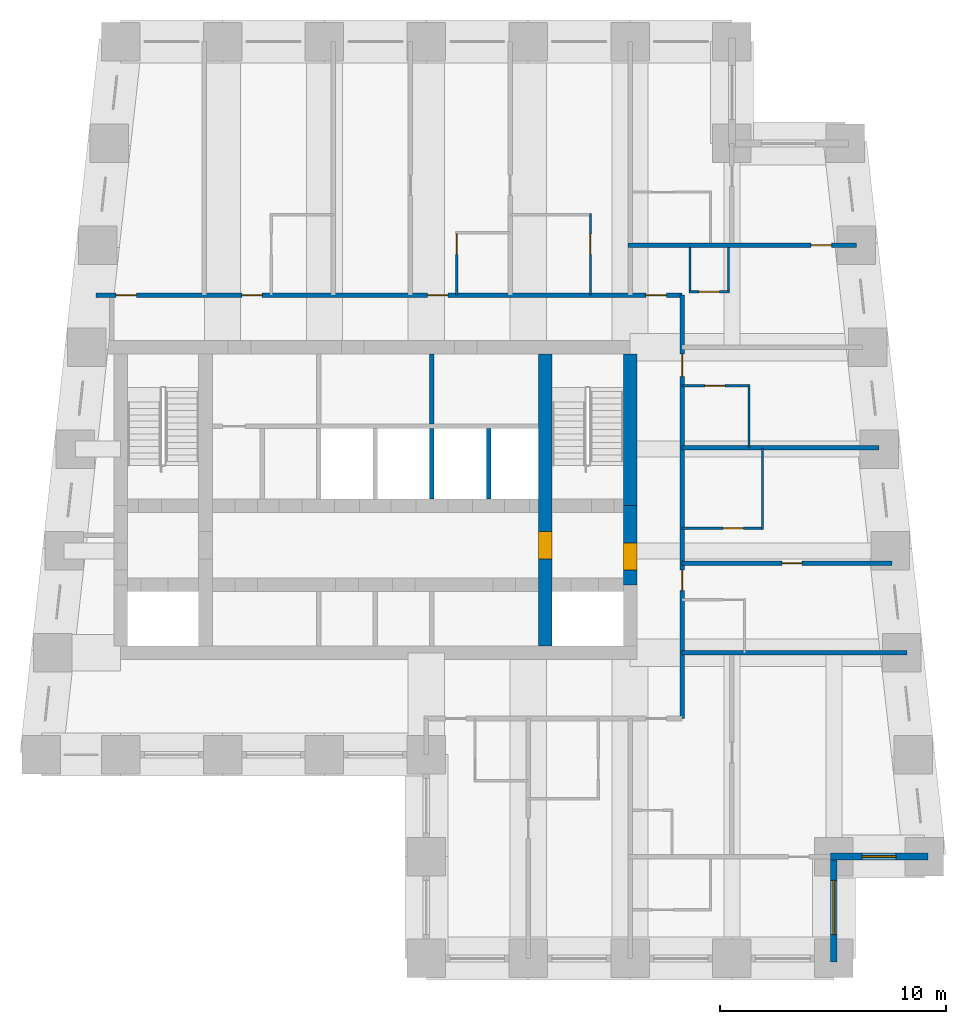
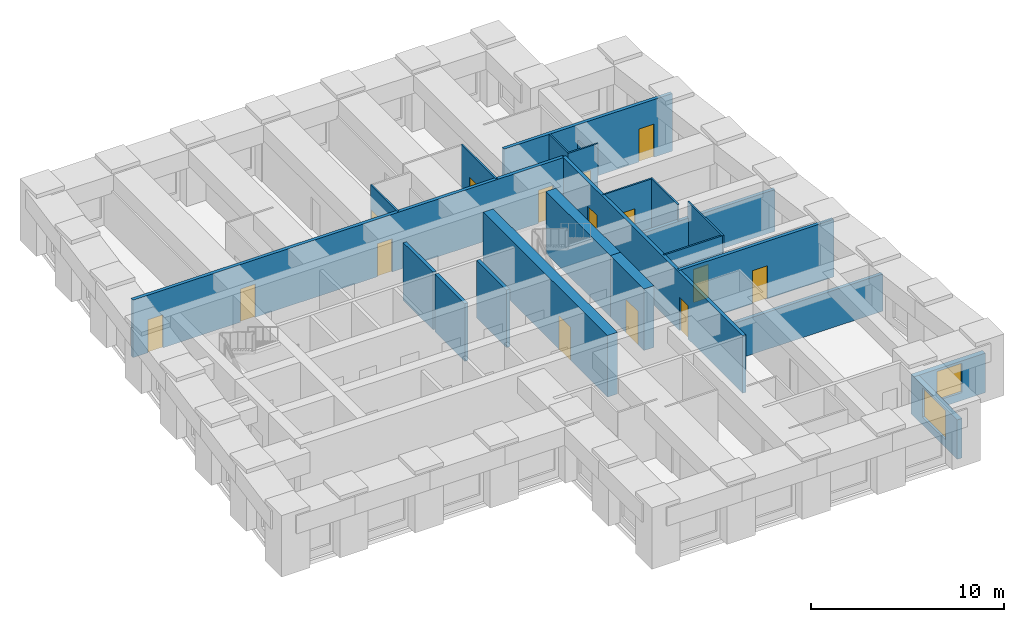
# One storey, part 4 of 7: 23 walls, 15 doors, 2 windows, 17 openings.
"""IFC4 building model written with IfcOpenShell, lengths in metres."""

from ifc_helpers import new_model, si_unit, direction, frame, frame_2d, origin, place, context, subcontext, project, spatial, rectangle, extrude, material, layer, layer_set, type_object, element, fill, save


model = new_model("IFC4")

# Units and contexts
model_context = context("Model", 3, precision=1e-05, world=origin(), true_north=direction((0.0, 1.0)))
body_context = subcontext(model_context, "Body", "Model", "MODEL_VIEW")
ifc_project = project(units=[si_unit("LENGTHUNIT", "METRE"), si_unit("AREAUNIT", "SQUARE_METRE"), si_unit("VOLUMEUNIT", "CUBIC_METRE"), si_unit("PLANEANGLEUNIT", "RADIAN"), si_unit("MASSUNIT", "GRAM", prefix="KILO")], contexts=[model_context])

# Site, building, storey
site_placement = place(None, origin())
site = spatial("IfcSite", under=ifc_project, at=site_placement, CompositionType="ELEMENT")
building_placement = place(site_placement, origin())
building = spatial("IfcBuilding", under=site, at=building_placement, Name="Kilele Tower Hotel", CompositionType="ELEMENT")
storey_placement = place(building_placement, frame((0.0, 0.0, 236.89990234375)))
storey = spatial("IfcBuildingStorey", under=building, at=storey_placement, Name="L61", CompositionType="ELEMENT", Elevation=236.89990234375)

# Wall
ifc_material_1 = material(Name="Moisture-resistant board")
ifc_layer_1 = layer(ifc_material_1, 0.10009765625)
ifc_layer_set_1 = layer_set([ifc_layer_1], Name="Moisture-resistant board")
wall_type_1 = type_object("IfcWallType", Name="Bathroom partition 100", PredefinedType="PLUMBINGWALL", material=ifc_layer_set_1)
wall_1_placement = place(storey_placement, frame((41.85009765625, 18.949951171875, 0.0), z_axis=(0.0, 0.0, 1.0), x_axis=(0.0, 1.0, 0.0)))
element("IfcWall", 1, at=wall_1_placement, inside=storey, type_object=wall_type_1, Name="Bathroom partition 100 L61", PredefinedType="PLUMBINGWALL", context=body_context, shape_type="SweptSolid", body=[
    extrude(rectangle(XDim=3.60009765625, YDim=0.10009765625, at=frame_2d((1.800048828125, 0.0))), origin(), (0.0, 0.0, 1.0), 3.650146484375),
])

# Wall, opening, door
wall_2_placement = place(storey_placement, frame((38.300048828125, 19.0, 0.0), z_axis=(0.0, 0.0, 1.0), x_axis=(1.0, 0.0, 0.0)))
wall_2 = element("IfcWall", 2, at=wall_2_placement, inside=storey, type_object=wall_type_1, Name="Bathroom partition 100 L61", PredefinedType="PLUMBINGWALL", context=body_context, shape_type="SweptSolid", body=[
    extrude(rectangle(XDim=3.599853515625, YDim=0.10009765625, at=frame_2d((1.7998046875, 0.0))), origin(), (0.0, 0.0, 1.0), 3.650146484375),
])
opening_1_placement = place(wall_2_placement, frame((2.699951171875, 0.0, 0.0), z_axis=(0.0, 0.0, 1.0), x_axis=(-1.0, 0.0, 0.0)))
opening_1 = element("IfcOpeningElement", 3, at=opening_1_placement, cuts=wall_2, Name="Opening D2A", PredefinedType="OPENING", context=body_context, shape_type="SweptSolid", body=[
    extrude(rectangle(XDim=0.89990234375, YDim=2.10009765625, at=frame_2d((0.449951171875, 1.050048828125))), frame((0.0, 0.06005859375, 0.0), z_axis=(0.0, -1.0, 0.0), x_axis=(1.0, 0.0, 0.0)), (0.0, 0.0, 1.0), 0.1201171875),
])
ifc_material_2 = material(Name="Timber door leaf in hardwood frame", Category="wood")
door_type_1 = type_object("IfcDoorType", Name="Bathroom door 900", OperationType="SINGLE_SWING_LEFT", PredefinedType="DOOR", material=ifc_material_2)
door_1_placement = place(opening_1_placement, origin())
door_1 = element("IfcDoor", 4, at=door_1_placement, inside=storey, type_object=door_type_1, Name="Bathroom door 6105B", OperationType="SINGLE_SWING_LEFT", OverallHeight=2.10009765625, OverallWidth=0.89990234375, PredefinedType="DOOR", context=body_context, shape_type="SweptSolid", body=[
    extrude(rectangle(XDim=0.89990234375, YDim=2.10009765625, at=frame_2d((0.449951171875, 1.050048828125))), frame((0.0, 0.02490234375, 0.0), z_axis=(0.0, -1.0, 0.0), x_axis=(1.0, 0.0, 0.0)), (0.0, 0.0, 1.0), 0.050048828125),
])
fill(opening_1, door_1)

# Wall
wall_3_placement = place(storey_placement, frame((41.25, 22.550048828125, 0.0), z_axis=(0.0, 0.0, 1.0), x_axis=(0.0, 1.0, 0.0)))
element("IfcWall", 5, at=wall_3_placement, inside=storey, type_object=wall_type_1, Name="Bathroom partition 100 L61", PredefinedType="PLUMBINGWALL", context=body_context, shape_type="SweptSolid", body=[
    extrude(rectangle(XDim=2.800048828125, YDim=0.10009765625, at=frame_2d((1.39990234375, 0.0))), origin(), (0.0, 0.0, 1.0), 3.650146484375),
])

# Wall, opening, door
wall_4_placement = place(storey_placement, frame((38.300048828125, 25.300048828125, 0.0), z_axis=(0.0, 0.0, 1.0), x_axis=(1.0, 0.0, 0.0)))
wall_4 = element("IfcWall", 6, at=wall_4_placement, inside=storey, type_object=wall_type_1, Name="Bathroom partition 100 L61", PredefinedType="PLUMBINGWALL", context=body_context, shape_type="SweptSolid", body=[
    extrude(rectangle(XDim=3.0, YDim=0.10009765625, at=frame_2d((1.5, 0.0))), origin(), (0.0, 0.0, 1.0), 3.650146484375),
])
opening_2_placement = place(wall_4_placement, frame((1.0, 0.0, 0.0)))
opening_2 = element("IfcOpeningElement", 7, at=opening_2_placement, cuts=wall_4, Name="Opening D2A", PredefinedType="OPENING", context=body_context, shape_type="SweptSolid", body=[
    extrude(rectangle(XDim=0.89990234375, YDim=2.10009765625, at=frame_2d((0.449951171875, 1.050048828125))), frame((0.0, 0.06005859375, 0.0), z_axis=(0.0, -1.0, 0.0), x_axis=(1.0, 0.0, 0.0)), (0.0, 0.0, 1.0), 0.1201171875),
])
door_2_placement = place(opening_2_placement, origin())
door_2 = element("IfcDoor", 8, at=door_2_placement, inside=storey, type_object=door_type_1, Name="Bathroom door 6106B", OperationType="SINGLE_SWING_LEFT", OverallHeight=2.10009765625, OverallWidth=0.89990234375, PredefinedType="DOOR", context=body_context, shape_type="SweptSolid", body=[
    extrude(rectangle(XDim=0.89990234375, YDim=2.10009765625, at=frame_2d((0.449951171875, 1.050048828125))), frame((0.0, 0.02490234375, 0.0), z_axis=(0.0, -1.0, 0.0), x_axis=(1.0, 0.0, 0.0)), (0.0, 0.0, 1.0), 0.050048828125),
])
fill(opening_2, door_2)

wall_5_placement = place(storey_placement, frame((28.35009765625, 29.300048828125, 0.0), z_axis=(0.0, 0.0, 1.0), x_axis=(0.0, 1.0, 0.0)))
wall_5 = element("IfcWall", 9, at=wall_5_placement, inside=storey, type_object=wall_type_1, Name="Bathroom partition 100 L61", PredefinedType="PLUMBINGWALL", context=body_context, shape_type="SweptSolid", body=[
    extrude(rectangle(XDim=2.800048828125, YDim=0.10009765625, at=frame_2d((1.39990234375, 0.0))), origin(), (0.0, 0.0, 1.0), 3.650146484375),
])
opening_3_placement = place(wall_5_placement, frame((1.800048828125, 0.0, 0.0)))
opening_3 = element("IfcOpeningElement", 10, at=opening_3_placement, cuts=wall_5, Name="Opening D2A", PredefinedType="OPENING", context=body_context, shape_type="SweptSolid", body=[
    extrude(rectangle(XDim=0.89990234375, YDim=2.10009765625, at=frame_2d((0.449951171875, 1.050048828125))), frame((0.0, 0.06005859375, 0.0), z_axis=(0.0, -1.0, 0.0), x_axis=(1.0, 0.0, 0.0)), (0.0, 0.0, 1.0), 0.1201171875),
])
door_3_placement = place(opening_3_placement, origin())
door_3 = element("IfcDoor", 11, at=door_3_placement, inside=storey, type_object=door_type_1, Name="Bathroom door 6110B", OperationType="SINGLE_SWING_RIGHT", OverallHeight=2.10009765625, OverallWidth=0.89990234375, PredefinedType="DOOR", context=body_context, shape_type="SweptSolid", body=[
    extrude(rectangle(XDim=0.89990234375, YDim=2.10009765625, at=frame_2d((0.449951171875, 1.050048828125))), frame((0.0, 0.02490234375, 0.0), z_axis=(0.0, -1.0, 0.0), x_axis=(1.0, 0.0, 0.0)), (0.0, 0.0, 1.0), 0.050048828125),
])
fill(opening_3, door_3)

wall_6_placement = place(storey_placement, frame((34.25, 29.300048828125, 0.0), z_axis=(0.0, 0.0, 1.0), x_axis=(0.0, 1.0, 0.0)))
wall_6 = element("IfcWall", 12, at=wall_6_placement, inside=storey, type_object=wall_type_1, Name="Bathroom partition 100 L61", PredefinedType="PLUMBINGWALL", context=body_context, shape_type="SweptSolid", body=[
    extrude(rectangle(XDim=3.599853515625, YDim=0.10009765625, at=frame_2d((1.7998046875, 0.0))), origin(), (0.0, 0.0, 1.0), 3.650146484375),
])
opening_4_placement = place(wall_6_placement, frame((2.699951171875, 0.0, 0.0), z_axis=(0.0, 0.0, 1.0), x_axis=(-1.0, 0.0, 0.0)))
opening_4 = element("IfcOpeningElement", 13, at=opening_4_placement, cuts=wall_6, Name="Opening D2A", PredefinedType="OPENING", context=body_context, shape_type="SweptSolid", body=[
    extrude(rectangle(XDim=0.89990234375, YDim=2.10009765625, at=frame_2d((0.449951171875, 1.050048828125))), frame((0.0, 0.06005859375, 0.0), z_axis=(0.0, -1.0, 0.0), x_axis=(1.0, 0.0, 0.0)), (0.0, 0.0, 1.0), 0.1201171875),
])
door_4_placement = place(opening_4_placement, origin())
door_4 = element("IfcDoor", 14, at=door_4_placement, inside=storey, type_object=door_type_1, Name="Bathroom door 6111B", OperationType="SINGLE_SWING_LEFT", OverallHeight=2.10009765625, OverallWidth=0.89990234375, PredefinedType="DOOR", context=body_context, shape_type="SweptSolid", body=[
    extrude(rectangle(XDim=0.89990234375, YDim=2.10009765625, at=frame_2d((0.449951171875, 1.050048828125))), frame((0.0, 0.02490234375, 0.0), z_axis=(0.0, -1.0, 0.0), x_axis=(1.0, 0.0, 0.0)), (0.0, 0.0, 1.0), 0.050048828125),
])
fill(opening_4, door_4)

# Walls
wall_7_placement = place(storey_placement, frame((40.35009765625, 31.39990234375, 0.0), z_axis=(0.0, 0.0, 1.0), x_axis=(0.0, -1.0, 0.0)))
element("IfcWall", 15, at=wall_7_placement, inside=storey, type_object=wall_type_1, Name="Bathroom partition 100 L61", PredefinedType="PLUMBINGWALL", context=body_context, shape_type="SweptSolid", body=[
    extrude(rectangle(XDim=2.0, YDim=0.10009765625, at=frame_2d((1.0, 0.0))), origin(), (0.0, 0.0, 1.0), 2.650146484375),
])
wall_8_placement = place(storey_placement, frame((38.64990234375, 31.39990234375, 0.0), z_axis=(0.0, 0.0, 1.0), x_axis=(0.0, -1.0, 0.0)))
element("IfcWall", 16, at=wall_8_placement, inside=storey, type_object=wall_type_1, Name="Bathroom partition 100 L61", PredefinedType="PLUMBINGWALL", context=body_context, shape_type="SweptSolid", body=[
    extrude(rectangle(XDim=2.0, YDim=0.10009765625, at=frame_2d((1.0, 0.0))), origin(), (0.0, 0.0, 1.0), 3.650146484375),
])

# Wall, opening, door
wall_9_placement = place(storey_placement, frame((38.60009765625, 29.449951171875, 0.0), z_axis=(0.0, 0.0, 1.0), x_axis=(1.0, 0.0, 0.0)))
wall_9 = element("IfcWall", 17, at=wall_9_placement, inside=storey, type_object=wall_type_1, Name="Bathroom partition 100 L61", PredefinedType="PLUMBINGWALL", context=body_context, shape_type="SweptSolid", body=[
    extrude(rectangle(XDim=1.7998046875, YDim=0.10009765625, at=frame_2d((0.89990234375, 0.0))), origin(), (0.0, 0.0, 1.0), 3.650146484375),
])
opening_5_placement = place(wall_9_placement, frame((1.349853515625, 0.0, 0.0), z_axis=(0.0, 0.0, 1.0), x_axis=(-1.0, 0.0, 0.0)))
opening_5 = element("IfcOpeningElement", 18, at=opening_5_placement, cuts=wall_9, Name="Opening D2A", PredefinedType="OPENING", context=body_context, shape_type="SweptSolid", body=[
    extrude(rectangle(XDim=0.89990234375, YDim=2.10009765625, at=frame_2d((0.449951171875, 1.050048828125))), frame((0.0, 0.06005859375, 0.0), z_axis=(0.0, -1.0, 0.0), x_axis=(1.0, 0.0, 0.0)), (0.0, 0.0, 1.0), 0.1201171875),
])
door_5_placement = place(opening_5_placement, origin())
door_5 = element("IfcDoor", 19, at=door_5_placement, inside=storey, type_object=door_type_1, Name="Bathroom door 6115P", OperationType="SINGLE_SWING_RIGHT", OverallHeight=2.10009765625, OverallWidth=0.89990234375, PredefinedType="DOOR", context=body_context, shape_type="SweptSolid", body=[
    extrude(rectangle(XDim=0.89990234375, YDim=2.10009765625, at=frame_2d((0.449951171875, 1.050048828125))), frame((0.0, 0.02490234375, 0.0), z_axis=(0.0, -1.0, 0.0), x_axis=(1.0, 0.0, 0.0)), (0.0, 0.0, 1.0), 0.050048828125),
])
fill(opening_5, door_5)

ifc_material_3 = material(Name="Concrete C60/75", Category="concrete")
ifc_layer_2 = layer(ifc_material_3, 0.60009765625)
ifc_layer_set_2 = layer_set([ifc_layer_2], Name="Concrete C60/75")
wall_type_2 = type_object("IfcWallType", Name="Core wall 600 C60/75", PredefinedType="SHEAR", material=ifc_layer_set_2)
wall_10_placement = place(storey_placement, frame((32.25, 13.800048828125, 0.0), z_axis=(0.0, 0.0, 1.0), x_axis=(0.0, 1.0, 0.0)))
wall_10 = element("IfcWall", 20, at=wall_10_placement, inside=storey, type_object=wall_type_2, Name="Core wall IE L61", PredefinedType="SHEAR", context=body_context, shape_type="SweptSolid", body=[
    extrude(rectangle(XDim=12.89990234375, YDim=0.60009765625, at=frame_2d((6.449951171875, 0.0))), origin(), (0.0, 0.0, 1.0), 3.900146484375),
])
opening_6_placement = place(wall_10_placement, frame((5.050048828125, 0.0, 0.0), z_axis=(0.0, 0.0, 1.0), x_axis=(-1.0, 0.0, 0.0)))
opening_6 = element("IfcOpeningElement", 21, at=opening_6_placement, cuts=wall_10, Name="Opening D4", PredefinedType="OPENING", context=body_context, shape_type="SweptSolid", body=[
    extrude(rectangle(XDim=1.199951171875, YDim=2.10009765625, at=frame_2d((0.60009765625, 1.050048828125))), frame((0.0, 0.31005859375, 0.0), z_axis=(0.0, -1.0, 0.0), x_axis=(1.0, 0.0, 0.0)), (0.0, 0.0, 1.0), 0.6201171875),
])
ifc_material_4 = material(Name="Timber door leaf in hardwood frame", Category="wood")
door_type_2 = type_object("IfcDoorType", Name="Firefighting lobby door 1200", OperationType="SINGLE_SWING_LEFT", PredefinedType="DOOR", material=ifc_material_4)
door_6_placement = place(opening_6_placement, origin())
door_6 = element("IfcDoor", 22, at=door_6_placement, inside=storey, type_object=door_type_2, Name="Lobby door L61", OperationType="SINGLE_SWING_RIGHT", OverallHeight=2.10009765625, OverallWidth=1.199951171875, PredefinedType="DOOR", context=body_context, shape_type="SweptSolid", body=[
    extrude(rectangle(XDim=1.199951171875, YDim=2.10009765625, at=frame_2d((0.60009765625, 1.050048828125))), frame((0.0, 0.2998046875, 0.0), z_axis=(0.0, -1.0, 0.0), x_axis=(1.0, 0.0, 0.0)), (0.0, 0.0, 1.0), 0.599609375),
])
fill(opening_6, door_6)

wall_11_placement = place(storey_placement, frame((36.0, 16.5, 0.0), z_axis=(0.0, 0.0, 1.0), x_axis=(0.0, 1.0, 0.0)))
wall_11 = element("IfcWall", 23, at=wall_11_placement, inside=storey, type_object=wall_type_2, Name="Core wall E2 L61", PredefinedType="SHEAR", context=body_context, shape_type="SweptSolid", body=[
    extrude(rectangle(XDim=3.5, YDim=0.60009765625, at=frame_2d((1.75, 0.0))), origin(), (0.0, 0.0, 1.0), 3.900146484375),
])
opening_7_placement = place(wall_11_placement, frame((0.64990234375, 0.0, 0.0)))
opening_7 = element("IfcOpeningElement", 24, at=opening_7_placement, cuts=wall_11, Name="Opening D4", PredefinedType="OPENING", context=body_context, shape_type="SweptSolid", body=[
    extrude(rectangle(XDim=1.199951171875, YDim=2.10009765625, at=frame_2d((0.60009765625, 1.050048828125))), frame((0.0, 0.31005859375, 0.0), z_axis=(0.0, -1.0, 0.0), x_axis=(1.0, 0.0, 0.0)), (0.0, 0.0, 1.0), 0.6201171875),
])
door_7_placement = place(opening_7_placement, origin())
door_7 = element("IfcDoor", 25, at=door_7_placement, inside=storey, type_object=door_type_2, Name="Lobby door L61", OperationType="SINGLE_SWING_LEFT", OverallHeight=2.10009765625, OverallWidth=1.199951171875, PredefinedType="DOOR", context=body_context, shape_type="SweptSolid", body=[
    extrude(rectangle(XDim=1.199951171875, YDim=2.10009765625, at=frame_2d((0.60009765625, 1.050048828125))), frame((0.0, 0.2998046875, 0.0), z_axis=(0.0, -1.0, 0.0), x_axis=(1.0, 0.0, 0.0)), (0.0, 0.0, 1.0), 0.599609375),
])
fill(opening_7, door_7)

# Wall
wall_12_placement = place(storey_placement, frame((36.0, 20.0, 0.0), z_axis=(0.0, 0.0, 1.0), x_axis=(0.0, 1.0, 0.0)))
element("IfcWall", 26, at=wall_12_placement, inside=storey, type_object=wall_type_2, Name="Core wall E3 L61", PredefinedType="SHEAR", context=body_context, shape_type="SweptSolid", body=[
    extrude(rectangle(XDim=6.699951171875, YDim=0.60009765625, at=frame_2d((3.35009765625, 0.0))), origin(), (0.0, 0.0, 1.0), 3.900146484375),
])

# Wall, openings, doors
ifc_material_5 = material(Name="Blockwork, plastered both sides", Category="masonry")
ifc_layer_3 = layer(ifc_material_5, 0.199951171875)
ifc_layer_set_3 = layer_set([ifc_layer_3], Name="Blockwork, plastered both sides")
wall_type_3 = type_object("IfcWallType", Name="Corridor wall 200", PredefinedType="PARTITIONING", material=ifc_layer_set_3)
wall_13_placement = place(storey_placement, frame((12.406494140625, 29.300048828125, 0.0), z_axis=(0.0, 0.0, 1.0), x_axis=(1.0, 0.0, 0.0)))
wall_13 = element("IfcWall", 27, at=wall_13_placement, inside=storey, type_object=wall_type_3, Name="Corridor wall 200 L61", PredefinedType="PARTITIONING", context=body_context, shape_type="SweptSolid", body=[
    extrude(rectangle(XDim=25.8935546875, YDim=0.199951171875, at=frame_2d((12.94677734375, 0.0))), origin(), (0.0, 0.0, 1.0), 3.650146484375),
])
opening_8_placement = place(wall_13_placement, frame((0.89990234375, 0.0, 0.0)))
opening_8 = element("IfcOpeningElement", 28, at=opening_8_placement, cuts=wall_13, Name="Opening D1", PredefinedType="OPENING", context=body_context, shape_type="SweptSolid", body=[
    extrude(rectangle(XDim=0.89990234375, YDim=2.10009765625, at=frame_2d((0.449951171875, 1.050048828125))), frame((0.0, 0.10986328125, 0.0), z_axis=(0.0, -1.0, 0.0), x_axis=(1.0, 0.0, 0.0)), (0.0, 0.0, 1.0), 0.219970703125),
])
opening_9_placement = place(wall_13_placement, frame((6.443603515625, 0.0, 0.0)))
opening_9 = element("IfcOpeningElement", 29, at=opening_9_placement, cuts=wall_13, Name="Opening D1", PredefinedType="OPENING", context=body_context, shape_type="SweptSolid", body=[
    extrude(rectangle(XDim=0.89990234375, YDim=2.10009765625, at=frame_2d((0.449951171875, 1.050048828125))), frame((0.0, 0.10986328125, 0.0), z_axis=(0.0, -1.0, 0.0), x_axis=(1.0, 0.0, 0.0)), (0.0, 0.0, 1.0), 0.219970703125),
])
opening_10_placement = place(wall_13_placement, frame((14.6435546875, 0.0, 0.0)))
opening_10 = element("IfcOpeningElement", 30, at=opening_10_placement, cuts=wall_13, Name="Opening D1", PredefinedType="OPENING", context=body_context, shape_type="SweptSolid", body=[
    extrude(rectangle(XDim=0.89990234375, YDim=2.10009765625, at=frame_2d((0.449951171875, 1.050048828125))), frame((0.0, 0.10986328125, 0.0), z_axis=(0.0, -1.0, 0.0), x_axis=(1.0, 0.0, 0.0)), (0.0, 0.0, 1.0), 0.219970703125),
])
opening_11_placement = place(wall_13_placement, frame((24.29345703125, 0.0, 0.0)))
opening_11 = element("IfcOpeningElement", 31, at=opening_11_placement, cuts=wall_13, Name="Opening D1", PredefinedType="OPENING", context=body_context, shape_type="SweptSolid", body=[
    extrude(rectangle(XDim=0.89990234375, YDim=2.10009765625, at=frame_2d((0.449951171875, 1.050048828125))), frame((0.0, 0.10986328125, 0.0), z_axis=(0.0, -1.0, 0.0), x_axis=(1.0, 0.0, 0.0)), (0.0, 0.0, 1.0), 0.219970703125),
])
ifc_material_6 = material(Name="Timber door leaf in hardwood frame", Category="wood")
door_type_3 = type_object("IfcDoorType", Name="Guest room entrance door 900", OperationType="SINGLE_SWING_LEFT", PredefinedType="DOOR", material=ifc_material_6)
door_8_placement = place(opening_8_placement, origin())
door_8 = element("IfcDoor", 32, at=door_8_placement, inside=storey, type_object=door_type_3, Name="Room entrance 6107", OperationType="SINGLE_SWING_LEFT", OverallHeight=2.10009765625, OverallWidth=0.89990234375, PredefinedType="DOOR", context=body_context, shape_type="SweptSolid", body=[
    extrude(rectangle(XDim=0.89990234375, YDim=2.10009765625, at=frame_2d((0.449951171875, 1.050048828125))), frame((0.0, 0.02490234375, 0.0), z_axis=(0.0, -1.0, 0.0), x_axis=(1.0, 0.0, 0.0)), (0.0, 0.0, 1.0), 0.050048828125),
])
fill(opening_8, door_8)
door_9_placement = place(opening_9_placement, origin())
door_9 = element("IfcDoor", 33, at=door_9_placement, inside=storey, type_object=door_type_3, Name="Room entrance 6108", OperationType="SINGLE_SWING_RIGHT", OverallHeight=2.10009765625, OverallWidth=0.89990234375, PredefinedType="DOOR", context=body_context, shape_type="SweptSolid", body=[
    extrude(rectangle(XDim=0.89990234375, YDim=2.10009765625, at=frame_2d((0.449951171875, 1.050048828125))), frame((0.0, 0.02490234375, 0.0), z_axis=(0.0, -1.0, 0.0), x_axis=(1.0, 0.0, 0.0)), (0.0, 0.0, 1.0), 0.050048828125),
])
fill(opening_9, door_9)
door_10_placement = place(opening_10_placement, origin())
door_10 = element("IfcDoor", 34, at=door_10_placement, inside=storey, type_object=door_type_3, Name="Room entrance 6110", OperationType="SINGLE_SWING_RIGHT", OverallHeight=2.10009765625, OverallWidth=0.89990234375, PredefinedType="DOOR", context=body_context, shape_type="SweptSolid", body=[
    extrude(rectangle(XDim=0.89990234375, YDim=2.10009765625, at=frame_2d((0.449951171875, 1.050048828125))), frame((0.0, 0.02490234375, 0.0), z_axis=(0.0, -1.0, 0.0), x_axis=(1.0, 0.0, 0.0)), (0.0, 0.0, 1.0), 0.050048828125),
])
fill(opening_10, door_10)
door_11_placement = place(opening_11_placement, origin())
door_11 = element("IfcDoor", 35, at=door_11_placement, inside=storey, type_object=door_type_3, Name="Room entrance 6115", OperationType="SINGLE_SWING_LEFT", OverallHeight=2.10009765625, OverallWidth=0.89990234375, PredefinedType="DOOR", context=body_context, shape_type="SweptSolid", body=[
    extrude(rectangle(XDim=0.89990234375, YDim=2.10009765625, at=frame_2d((0.449951171875, 1.050048828125))), frame((0.0, 0.02490234375, 0.0), z_axis=(0.0, -1.0, 0.0), x_axis=(1.0, 0.0, 0.0)), (0.0, 0.0, 1.0), 0.050048828125),
])
fill(opening_11, door_11)

wall_14_placement = place(storey_placement, frame((38.300048828125, 10.60009765625, 0.0), z_axis=(0.0, 0.0, 1.0), x_axis=(0.0, 1.0, 0.0)))
wall_14 = element("IfcWall", 36, at=wall_14_placement, inside=storey, type_object=wall_type_3, Name="Corridor wall 200 L61", PredefinedType="PARTITIONING", context=body_context, shape_type="SweptSolid", body=[
    extrude(rectangle(XDim=18.699951171875, YDim=0.199951171875, at=frame_2d((9.35009765625, 0.0))), origin(), (0.0, 0.0, 1.0), 3.650146484375),
])
opening_12_placement = place(wall_14_placement, frame((6.5498046875, 0.0, 0.0), z_axis=(0.0, 0.0, 1.0), x_axis=(-1.0, 0.0, 0.0)))
opening_12 = element("IfcOpeningElement", 37, at=opening_12_placement, cuts=wall_14, Name="Opening D1", PredefinedType="OPENING", context=body_context, shape_type="SweptSolid", body=[
    extrude(rectangle(XDim=0.89990234375, YDim=2.10009765625, at=frame_2d((0.449951171875, 1.050048828125))), frame((0.0, 0.10986328125, 0.0), z_axis=(0.0, -1.0, 0.0), x_axis=(1.0, 0.0, 0.0)), (0.0, 0.0, 1.0), 0.219970703125),
])
opening_13_placement = place(wall_14_placement, frame((16.10009765625, 0.0, 0.0), z_axis=(0.0, 0.0, 1.0), x_axis=(-1.0, 0.0, 0.0)))
opening_13 = element("IfcOpeningElement", 38, at=opening_13_placement, cuts=wall_14, Name="Opening D1A", PredefinedType="OPENING", context=body_context, shape_type="SweptSolid", body=[
    extrude(rectangle(XDim=1.0, YDim=2.10009765625, at=frame_2d((0.5, 1.050048828125))), frame((0.0, 0.10986328125, 0.0), z_axis=(0.0, -1.0, 0.0), x_axis=(1.0, 0.0, 0.0)), (0.0, 0.0, 1.0), 0.219970703125),
])
ifc_material_7 = material(Name="Timber door leaf in hardwood frame", Category="wood")
door_type_4 = type_object("IfcDoorType", Name="Guest room entrance door 1000", OperationType="SINGLE_SWING_LEFT", PredefinedType="DOOR", material=ifc_material_7)
door_12_placement = place(opening_13_placement, origin())
door_12 = element("IfcDoor", 39, at=door_12_placement, inside=storey, type_object=door_type_4, Name="Room entrance 6106", OperationType="SINGLE_SWING_LEFT", OverallHeight=2.10009765625, OverallWidth=1.0, PredefinedType="DOOR", context=body_context, shape_type="SweptSolid", body=[
    extrude(rectangle(XDim=1.0, YDim=2.10009765625, at=frame_2d((0.5, 1.050048828125))), frame((0.0, 0.02490234375, 0.0), z_axis=(0.0, -1.0, 0.0), x_axis=(1.0, 0.0, 0.0)), (0.0, 0.0, 1.0), 0.050048828125),
])
fill(opening_13, door_12)
door_13_placement = place(opening_12_placement, origin())
door_13 = element("IfcDoor", 40, at=door_13_placement, inside=storey, type_object=door_type_3, Name="Room entrance 6104", OperationType="SINGLE_SWING_LEFT", OverallHeight=2.10009765625, OverallWidth=0.89990234375, PredefinedType="DOOR", context=body_context, shape_type="SweptSolid", body=[
    extrude(rectangle(XDim=0.89990234375, YDim=2.10009765625, at=frame_2d((0.449951171875, 1.050048828125))), frame((0.0, 0.02490234375, 0.0), z_axis=(0.0, -1.0, 0.0), x_axis=(1.0, 0.0, 0.0)), (0.0, 0.0, 1.0), 0.050048828125),
])
fill(opening_12, door_13)

# Wall, opening, door
ifc_material_8 = material(Name="Blockwork, plastered both sides", Category="masonry")
ifc_layer_4 = layer(ifc_material_8, 0.199951171875)
ifc_layer_set_4 = layer_set([ifc_layer_4], Name="Blockwork, plastered both sides")
wall_type_4 = type_object("IfcWallType", Name="Party wall 200", PredefinedType="PARTITIONING", material=ifc_layer_set_4)
wall_15_placement = place(storey_placement, frame((38.300048828125, 17.449951171875, 0.0), z_axis=(0.0, 0.0, 1.0), x_axis=(1.0, 0.0, 0.0)))
wall_15 = element("IfcWall", 41, at=wall_15_placement, inside=storey, type_object=wall_type_4, Name="Party wall 200 L61", PredefinedType="PARTITIONING", context=body_context, shape_type="SweptSolid", body=[
    extrude(rectangle(XDim=9.26025390625, YDim=0.199951171875, at=frame_2d((4.630126953125, 0.0))), origin(), (0.0, 0.0, 1.0), 3.650146484375),
])
opening_14_placement = place(wall_15_placement, frame((4.39990234375, 0.0, 0.0)))
opening_14 = element("IfcOpeningElement", 42, at=opening_14_placement, cuts=wall_15, Name="Opening D3", PredefinedType="OPENING", context=body_context, shape_type="SweptSolid", body=[
    extrude(rectangle(XDim=0.89990234375, YDim=2.10009765625, at=frame_2d((0.449951171875, 1.050048828125))), frame((0.0, 0.10986328125, 0.0), z_axis=(0.0, -1.0, 0.0), x_axis=(1.0, 0.0, 0.0)), (0.0, 0.0, 1.0), 0.219970703125),
])
ifc_material_9 = material(Name="Timber door leaf in hardwood frame", Category="wood")
door_type_5 = type_object("IfcDoorType", Name="Suite internal door 900", OperationType="SINGLE_SWING_LEFT", PredefinedType="DOOR", material=ifc_material_9)
door_14_placement = place(opening_14_placement, origin())
door_14 = element("IfcDoor", 43, at=door_14_placement, inside=storey, type_object=door_type_5, Name="Suite door 6105", OperationType="SINGLE_SWING_RIGHT", OverallHeight=2.10009765625, OverallWidth=0.89990234375, PredefinedType="DOOR", context=body_context, shape_type="SweptSolid", body=[
    extrude(rectangle(XDim=0.89990234375, YDim=2.10009765625, at=frame_2d((0.449951171875, 1.050048828125))), frame((0.0, 0.02490234375, 0.0), z_axis=(0.0, -1.0, 0.0), x_axis=(1.0, 0.0, 0.0)), (0.0, 0.0, 1.0), 0.050048828125),
])
fill(opening_14, door_14)

# Walls
wall_16_placement = place(storey_placement, frame((38.300048828125, 22.550048828125, 0.0), z_axis=(0.0, 0.0, 1.0), x_axis=(1.0, 0.0, 0.0)))
element("IfcWall", 44, at=wall_16_placement, inside=storey, type_object=wall_type_4, Name="Party wall 200 L61", PredefinedType="PARTITIONING", context=body_context, shape_type="SweptSolid", body=[
    extrude(rectangle(XDim=8.693359375, YDim=0.199951171875, at=frame_2d((4.3466796875, 0.0))), origin(), (0.0, 0.0, 1.0), 2.650146484375),
])
wall_17_placement = place(storey_placement, frame((38.300048828125, 13.5, 0.0), z_axis=(0.0, 0.0, 1.0), x_axis=(1.0, 0.0, 0.0)))
element("IfcWall", 45, at=wall_17_placement, inside=storey, type_object=wall_type_4, Name="Party wall 200 L61", PredefinedType="PARTITIONING", context=body_context, shape_type="SweptSolid", body=[
    extrude(rectangle(XDim=9.921142578125, YDim=0.199951171875, at=frame_2d((4.96044921875, 0.0))), origin(), (0.0, 0.0, 1.0), 2.35009765625),
])

# Wall, opening, door
wall_18_placement = place(storey_placement, frame((35.89990234375, 31.5, 0.0), z_axis=(0.0, 0.0, 1.0), x_axis=(1.0, 0.0, 0.0)))
wall_18 = element("IfcWall", 46, at=wall_18_placement, inside=storey, type_object=wall_type_4, Name="Party wall 200 L61", PredefinedType="PARTITIONING", context=body_context, shape_type="SweptSolid", body=[
    extrude(rectangle(XDim=10.09912109375, YDim=0.199951171875, at=frame_2d((5.049560546875, 0.0))), origin(), (0.0, 0.0, 1.0), 3.650146484375),
])
opening_15_placement = place(wall_18_placement, frame((8.09912109375, 0.0, 0.0)))
opening_15 = element("IfcOpeningElement", 47, at=opening_15_placement, cuts=wall_18, Name="Opening D3", PredefinedType="OPENING", context=body_context, shape_type="SweptSolid", body=[
    extrude(rectangle(XDim=0.89990234375, YDim=2.10009765625, at=frame_2d((0.449951171875, 1.050048828125))), frame((0.0, 0.10986328125, 0.0), z_axis=(0.0, -1.0, 0.0), x_axis=(1.0, 0.0, 0.0)), (0.0, 0.0, 1.0), 0.219970703125),
])
door_15_placement = place(opening_15_placement, origin())
door_15 = element("IfcDoor", 48, at=door_15_placement, inside=storey, type_object=door_type_5, Name="Suite door 6116", OperationType="SINGLE_SWING_RIGHT", OverallHeight=2.10009765625, OverallWidth=0.89990234375, PredefinedType="DOOR", context=body_context, shape_type="SweptSolid", body=[
    extrude(rectangle(XDim=0.89990234375, YDim=2.10009765625, at=frame_2d((0.449951171875, 1.050048828125))), frame((0.0, 0.02490234375, 0.0), z_axis=(0.0, -1.0, 0.0), x_axis=(1.0, 0.0, 0.0)), (0.0, 0.0, 1.0), 0.050048828125),
])
fill(opening_15, door_15)

# Wall, opening, window
ifc_material_10 = material(Name="Concrete C40/50 precast", Category="concrete")
ifc_layer_5 = layer(ifc_material_10, 0.260009765625, Name="Precast backing", Category="LoadBearing")
ifc_material_11 = material(Name="Reconstituted stone finish", Category="masonry")
ifc_layer_6 = layer(ifc_material_11, 0.0400390625, Name="Face mix", Category="Finish")
ifc_layer_set_5 = layer_set([ifc_layer_5, ifc_layer_6], Name="Precast concrete C40/50, reconstituted stone finish")
wall_type_5 = type_object("IfcWallType", Name="Precast stone facade wall 300", PredefinedType="STANDARD", material=ifc_layer_set_5)
wall_19_placement = place(storey_placement, frame((45.0, -0.14990234375, 0.0), z_axis=(0.0, 0.0, 1.0), x_axis=(0.0, 1.0, 0.0)))
wall_19 = element("IfcWall", 49, at=wall_19_placement, inside=storey, type_object=wall_type_5, Name="Facade wall L61 edge 4", PredefinedType="STANDARD", context=body_context, shape_type="SweptSolid", body=[
    extrude(rectangle(XDim=4.7998046875, YDim=0.300048828125, at=frame_2d((2.39990234375, 0.0))), origin(), (0.0, 0.0, 1.0), 2.5),
])
opening_16_placement = place(wall_19_placement, frame((1.199951171875, 0.0, 0.5)))
opening_16 = element("IfcOpeningElement", 50, at=opening_16_placement, cuts=wall_19, Name="Opening W4", PredefinedType="OPENING", context=body_context, shape_type="SweptSolid", body=[
    extrude(rectangle(XDim=2.39990234375, YDim=1.85009765625, at=frame_2d((1.199951171875, 0.925048828125))), frame((0.0, 0.159912109375, 0.0), z_axis=(0.0, -1.0, 0.0), x_axis=(1.0, 0.0, 0.0)), (0.0, 0.0, 1.0), 0.320068359375),
])
ifc_material_12 = material(Name="Aluminium frame, clear double glazing", Category="aluminium")
window_type_1 = type_object("IfcWindowType", Name="Window W4 2400 x 1850", PartitioningType="SINGLE_PANEL", PredefinedType="WINDOW", material=ifc_material_12)
window_1_placement = place(opening_16_placement, origin())
window_1 = element("IfcWindow", 51, at=window_1_placement, inside=storey, type_object=window_type_1, Name="Window L61", OverallHeight=1.85009765625, OverallWidth=2.39990234375, PartitioningType="SINGLE_PANEL", PredefinedType="WINDOW", context=body_context, shape_type="SweptSolid", body=[
    extrude(rectangle(XDim=2.39990234375, YDim=1.85009765625, at=frame_2d((1.199951171875, 0.925048828125))), frame((0.0, 0.030029296875, 0.0), z_axis=(0.0, -1.0, 0.0), x_axis=(1.0, 0.0, 0.0)), (0.0, 0.0, 1.0), 0.06005859375),
])
fill(opening_16, window_1)

wall_20_placement = place(storey_placement, frame((44.85009765625, 4.5, 0.0), z_axis=(0.0, 0.0, 1.0), x_axis=(1.0, 0.0, 0.0)))
wall_20 = element("IfcWall", 52, at=wall_20_placement, inside=storey, type_object=wall_type_5, Name="Facade wall L61 edge 5", PredefinedType="STANDARD", context=body_context, shape_type="SweptSolid", body=[
    extrude(rectangle(XDim=4.2998046875, YDim=0.300048828125, at=frame_2d((2.14990234375, 0.0))), origin(), (0.0, 0.0, 1.0), 2.5),
])
opening_17_placement = place(wall_20_placement, frame((1.39990234375, 0.0, 0.5)))
opening_17 = element("IfcOpeningElement", 53, at=opening_17_placement, cuts=wall_20, Name="Opening W4", PredefinedType="OPENING", context=body_context, shape_type="SweptSolid", body=[
    extrude(rectangle(XDim=1.5, YDim=1.85009765625, at=frame_2d((0.75, 0.925048828125))), frame((0.0, 0.159912109375, 0.0), z_axis=(0.0, -1.0, 0.0), x_axis=(1.0, 0.0, 0.0)), (0.0, 0.0, 1.0), 0.320068359375),
])
ifc_material_13 = material(Name="Aluminium frame, clear double glazing", Category="aluminium")
window_type_2 = type_object("IfcWindowType", Name="Window W4 1500 x 1850", PartitioningType="SINGLE_PANEL", PredefinedType="WINDOW", material=ifc_material_13)
window_2_placement = place(opening_17_placement, origin())
window_2 = element("IfcWindow", 54, at=window_2_placement, inside=storey, type_object=window_type_2, Name="Window L61", OverallHeight=1.85009765625, OverallWidth=1.5, PartitioningType="SINGLE_PANEL", PredefinedType="WINDOW", context=body_context, shape_type="SweptSolid", body=[
    extrude(rectangle(XDim=1.5, YDim=1.85009765625, at=frame_2d((0.75, 0.925048828125))), frame((0.0, 0.030029296875, 0.0), z_axis=(0.0, -1.0, 0.0), x_axis=(1.0, 0.0, 0.0)), (0.0, 0.0, 1.0), 0.06005859375),
])
fill(opening_17, window_2)

# Walls
ifc_material_14 = material(Name="Blockwork, fire-rated", Category="masonry")
ifc_layer_7 = layer(ifc_material_14, 0.199951171875)
ifc_layer_set_6 = layer_set([ifc_layer_7], Name="Blockwork, fire-rated")
wall_type_6 = type_object("IfcWallType", Name="Shaft wall 200", PredefinedType="PARTITIONING", material=ifc_layer_set_6)
for number, where, z_axis, x_axis, name in (
    (55, (27.25, 20.300048828125, 0.0), (0.0, 0.0, 1.0), (0.0, 1.0, 0.0), "Shaft wall 200 L61"),
    (56, (29.75, 20.300048828125, 0.0), (0.0, 0.0, 1.0), (0.0, 1.0, 0.0), "Shaft wall 200 L61"),
    (57, (27.25, 23.60009765625, 0.0), (0.0, 0.0, 1.0), (0.0, 1.0, 0.0), "Shaft wall 200 L61"),
):
    element("IfcWall", number, at=place(storey_placement, frame(where, z_axis=z_axis, x_axis=x_axis)), inside=storey, type_object=wall_type_6, Name=name, PredefinedType="PARTITIONING", context=body_context, shape_type="SweptSolid", body=[
        extrude(rectangle(XDim=3.099853515625, YDim=0.199951171875, at=frame_2d((1.5498046875, 0.0))), origin(), (0.0, 0.0, 1.0), 3.650146484375),
    ])

save(model, "model.ifc")
